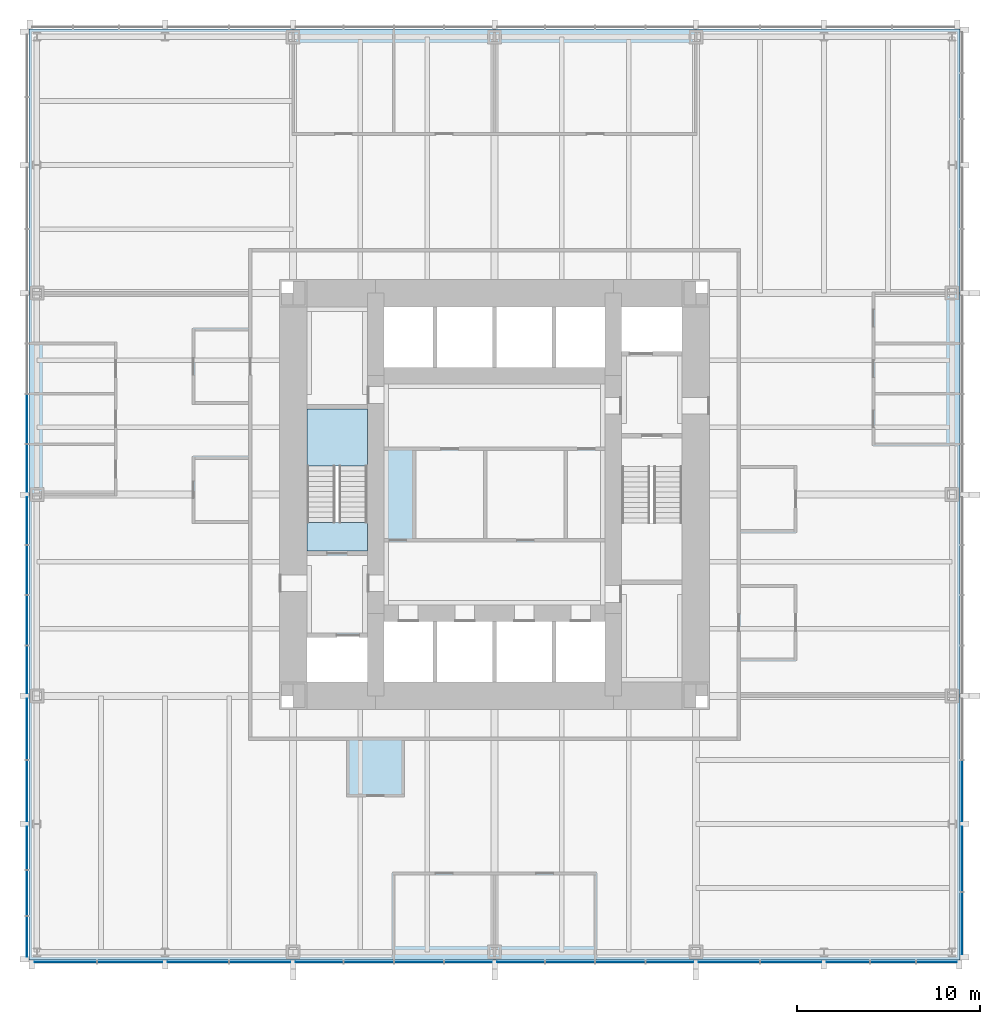
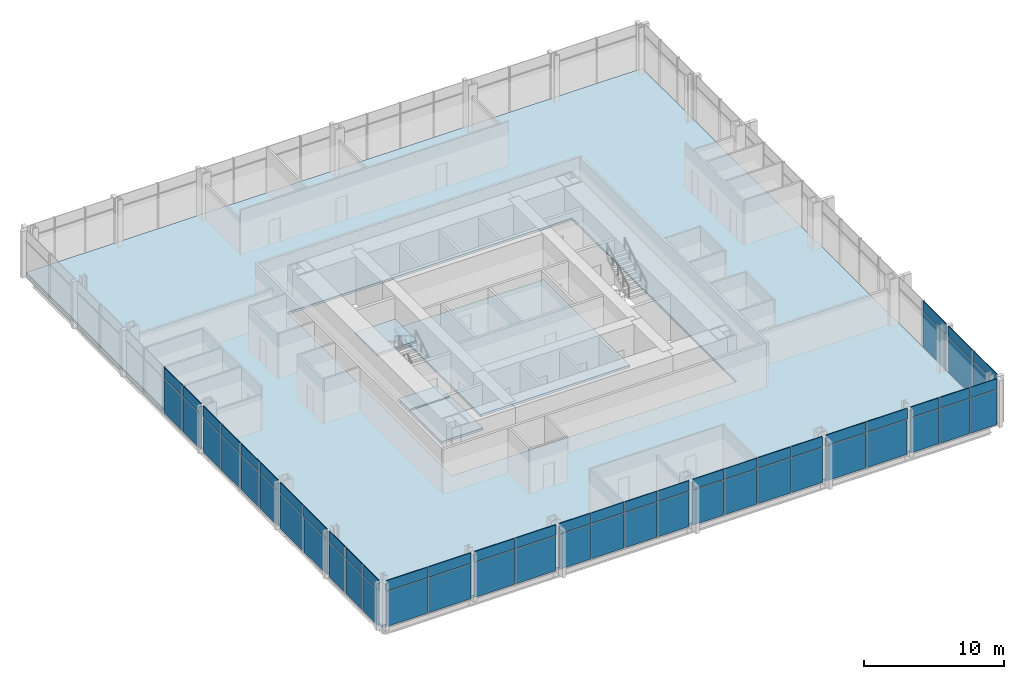
# One storey, part 7 of 12: 62 plates, 5 slabs, 4 elements without a shape of their own.
"""IFC4 building model written with IfcOpenShell, lengths in metres."""

from ifc_helpers import new_model, si_unit, direction, frame, origin, origin_2d, place, context, subcontext, project, spatial, polyline, rectangle, outline, extrude, material, layer, layer_set, type_object, element, aggregate, save


model = new_model("IFC4")

# Units and contexts
model_context = context("Model", 3, precision=1e-05, world=origin(), true_north=direction((0.0, 1.0)))
body_context = subcontext(model_context, "Body", "Model", "MODEL_VIEW")
ifc_project = project(units=[si_unit("LENGTHUNIT", "METRE"), si_unit("AREAUNIT", "SQUARE_METRE"), si_unit("VOLUMEUNIT", "CUBIC_METRE"), si_unit("PLANEANGLEUNIT", "RADIAN"), si_unit("MASSUNIT", "GRAM", prefix="KILO")], contexts=[model_context])

# Site, building, storey
site_placement = place(None, origin())
site = spatial("IfcSite", under=ifc_project, at=site_placement, CompositionType="ELEMENT")
building_placement = place(site_placement, origin())
building = spatial("IfcBuilding", under=site, at=building_placement, Name="Trevanion Tower", CompositionType="ELEMENT")
storey_placement = place(building_placement, frame((0.0, 0.0, 57.0)))
storey = spatial("IfcBuildingStorey", under=building, at=storey_placement, Name="L13", CompositionType="ELEMENT", Elevation=57.0)

# Curtain wall, plates
ifc_material_1 = material(Name="Aluminium and glass", Category="aluminium")
curtain_wall_type = type_object("IfcCurtainWallType", Name="CW1 curtain wall", PredefinedType="USERDEFINED", material=ifc_material_1)
curtain_wall_1_placement = place(storey_placement, origin())
curtain_wall_1 = element("IfcCurtainWall", 1, at=curtain_wall_1_placement, inside=storey, type_object=curtain_wall_type, Name="CW1 L13 0", ObjectType="UNITISED CURTAIN WALL", PredefinedType="USERDEFINED")
ifc_material_2 = material(Name="Aluminium spandrel panel", Category="aluminium")
ifc_layer_1 = layer(ifc_material_2, 0.06005859375)
ifc_layer_set_1 = layer_set([ifc_layer_1], Name="CW1 spandrel panel")
plate_type_1 = type_object("IfcPlateType", Name="CW1 spandrel panel", PredefinedType="CURTAIN_PANEL", material=ifc_layer_set_1)
plate_1_placement = place(storey_placement, frame((25.550048828125, -23.433837890625, 2.997314453125), z_axis=(0.0, 0.0, 1.0), x_axis=(0.0, 1.0, 0.0)))
plate_1 = element("IfcPlate", 2, at=plate_1_placement, type_object=plate_type_1, Name="CW1 panel 1.2", PredefinedType="CURTAIN_PANEL", context=body_context, shape_type="SweptSolid", body=[
    extrude(rectangle(XDim=3.37255859375, YDim=0.06005859375, at=origin_2d()), origin(), (0.0, 0.0, 1.0), 0.91259765625),
])
plate_2_placement = place(storey_placement, frame((25.550048828125, -19.911376953125, 2.997314453125), z_axis=(0.0, 0.0, 1.0), x_axis=(0.0, 1.0, 0.0)))
plate_2 = element("IfcPlate", 3, at=plate_2_placement, type_object=plate_type_1, Name="CW1 panel 2.2", PredefinedType="CURTAIN_PANEL", context=body_context, shape_type="SweptSolid", body=[
    extrude(rectangle(XDim=3.5224609375, YDim=0.06005859375, at=origin_2d()), origin(), (0.0, 0.0, 1.0), 0.91259765625),
])
plate_3_placement = place(storey_placement, frame((25.550048828125, -16.19384765625, 2.997314453125), z_axis=(0.0, 0.0, 1.0), x_axis=(0.0, 1.0, 0.0)))
plate_3 = element("IfcPlate", 4, at=plate_3_placement, type_object=plate_type_1, Name="CW1 panel 3.2", PredefinedType="CURTAIN_PANEL", context=body_context, shape_type="SweptSolid", body=[
    extrude(rectangle(XDim=3.3125, YDim=0.06005859375, at=origin_2d()), origin(), (0.0, 0.0, 1.0), 0.91259765625),
])

curtain_wall_2_placement = place(storey_placement, origin())
curtain_wall_2 = element("IfcCurtainWall", 5, at=curtain_wall_2_placement, inside=storey, type_object=curtain_wall_type, Name="CW1 L13 2", ObjectType="UNITISED CURTAIN WALL", PredefinedType="USERDEFINED")
plate_4_placement = place(storey_placement, frame((-25.550048828125, 4.125, 2.997314453125), z_axis=(0.0, 0.0, 1.0), x_axis=(0.0, -1.0, 0.0)))
plate_4 = element("IfcPlate", 6, at=plate_4_placement, type_object=plate_type_1, Name="CW1 panel 7.2", PredefinedType="CURTAIN_PANEL", context=body_context, shape_type="SweptSolid", body=[
    extrude(rectangle(XDim=2.675048828125, YDim=0.06005859375, at=origin_2d()), origin(), (0.0, 0.0, 1.0), 0.91259765625),
])
plate_5_placement = place(storey_placement, frame((-25.550048828125, 1.43115234375, 2.997314453125), z_axis=(0.0, 0.0, 1.0), x_axis=(0.0, -1.0, 0.0)))
plate_5 = element("IfcPlate", 7, at=plate_5_placement, type_object=plate_type_1, Name="CW1 panel 8.2", PredefinedType="CURTAIN_PANEL", context=body_context, shape_type="SweptSolid", body=[
    extrude(rectangle(XDim=2.5625, YDim=0.06005859375, at=origin_2d()), origin(), (0.0, 0.0, 1.0), 0.91259765625),
])
plate_6_placement = place(storey_placement, frame((-25.550048828125, -1.43115234375, 2.997314453125), z_axis=(0.0, 0.0, 1.0), x_axis=(0.0, -1.0, 0.0)))
plate_6 = element("IfcPlate", 8, at=plate_6_placement, type_object=plate_type_1, Name="CW1 panel 9.2", PredefinedType="CURTAIN_PANEL", context=body_context, shape_type="SweptSolid", body=[
    extrude(rectangle(XDim=2.5625, YDim=0.06005859375, at=origin_2d()), origin(), (0.0, 0.0, 1.0), 0.91259765625),
])
plate_7_placement = place(storey_placement, frame((-25.550048828125, -4.125, 2.997314453125), z_axis=(0.0, 0.0, 1.0), x_axis=(0.0, -1.0, 0.0)))
plate_7 = element("IfcPlate", 9, at=plate_7_placement, type_object=plate_type_1, Name="CW1 panel 10.2", PredefinedType="CURTAIN_PANEL", context=body_context, shape_type="SweptSolid", body=[
    extrude(rectangle(XDim=2.675048828125, YDim=0.06005859375, at=origin_2d()), origin(), (0.0, 0.0, 1.0), 0.91259765625),
])
plate_8_placement = place(storey_placement, frame((-25.550048828125, -6.875, 2.997314453125), z_axis=(0.0, 0.0, 1.0), x_axis=(0.0, -1.0, 0.0)))
plate_8 = element("IfcPlate", 10, at=plate_8_placement, type_object=plate_type_1, Name="CW1 panel 11.2", PredefinedType="CURTAIN_PANEL", context=body_context, shape_type="SweptSolid", body=[
    extrude(rectangle(XDim=2.675048828125, YDim=0.06005859375, at=origin_2d()), origin(), (0.0, 0.0, 1.0), 0.91259765625),
])
plate_9_placement = place(storey_placement, frame((-25.550048828125, -9.56884765625, 2.997314453125), z_axis=(0.0, 0.0, 1.0), x_axis=(0.0, -1.0, 0.0)))
plate_9 = element("IfcPlate", 11, at=plate_9_placement, type_object=plate_type_1, Name="CW1 panel 12.2", PredefinedType="CURTAIN_PANEL", context=body_context, shape_type="SweptSolid", body=[
    extrude(rectangle(XDim=2.5625, YDim=0.06005859375, at=origin_2d()), origin(), (0.0, 0.0, 1.0), 0.91259765625),
])
plate_10_placement = place(storey_placement, frame((-25.550048828125, -12.80615234375, 2.997314453125), z_axis=(0.0, 0.0, 1.0), x_axis=(0.0, -1.0, 0.0)))
plate_10 = element("IfcPlate", 12, at=plate_10_placement, type_object=plate_type_1, Name="CW1 panel 13.2", PredefinedType="CURTAIN_PANEL", context=body_context, shape_type="SweptSolid", body=[
    extrude(rectangle(XDim=3.3125, YDim=0.06005859375, at=origin_2d()), origin(), (0.0, 0.0, 1.0), 0.91259765625),
])
plate_11_placement = place(storey_placement, frame((-25.550048828125, -16.19384765625, 2.997314453125), z_axis=(0.0, 0.0, 1.0), x_axis=(0.0, -1.0, 0.0)))
plate_11 = element("IfcPlate", 13, at=plate_11_placement, type_object=plate_type_1, Name="CW1 panel 14.2", PredefinedType="CURTAIN_PANEL", context=body_context, shape_type="SweptSolid", body=[
    extrude(rectangle(XDim=3.3125, YDim=0.06005859375, at=origin_2d()), origin(), (0.0, 0.0, 1.0), 0.91259765625),
])
plate_12_placement = place(storey_placement, frame((-25.550048828125, -19.314697265625, 2.997314453125), z_axis=(0.0, 0.0, 1.0), x_axis=(0.0, -1.0, 0.0)))
plate_12 = element("IfcPlate", 14, at=plate_12_placement, type_object=plate_type_1, Name="CW1 panel 15.2", PredefinedType="CURTAIN_PANEL", context=body_context, shape_type="SweptSolid", body=[
    extrude(rectangle(XDim=2.3291015625, YDim=0.06005859375, at=origin_2d()), origin(), (0.0, 0.0, 1.0), 0.91259765625),
])
plate_13_placement = place(storey_placement, frame((-25.550048828125, -21.77490234375, 2.997314453125), z_axis=(0.0, 0.0, 1.0), x_axis=(0.0, -1.0, 0.0)))
plate_13 = element("IfcPlate", 15, at=plate_13_placement, type_object=plate_type_1, Name="CW1 panel 16.2", PredefinedType="CURTAIN_PANEL", context=body_context, shape_type="SweptSolid", body=[
    extrude(rectangle(XDim=2.441650390625, YDim=0.06005859375, at=origin_2d()), origin(), (0.0, 0.0, 1.0), 0.91259765625),
])
plate_14_placement = place(storey_placement, frame((-25.550048828125, -24.160400390625, 2.997314453125), z_axis=(0.0, 0.0, 1.0), x_axis=(0.0, -1.0, 0.0)))
plate_14 = element("IfcPlate", 16, at=plate_14_placement, type_object=plate_type_1, Name="CW1 panel 17.2", PredefinedType="CURTAIN_PANEL", context=body_context, shape_type="SweptSolid", body=[
    extrude(rectangle(XDim=2.17919921875, YDim=0.06005859375, at=origin_2d()), origin(), (0.0, 0.0, 1.0), 0.91259765625),
])

curtain_wall_3_placement = place(storey_placement, origin())
curtain_wall_3 = element("IfcCurtainWall", 17, at=curtain_wall_3_placement, inside=storey, type_object=curtain_wall_type, Name="CW1 L13 3", ObjectType="UNITISED CURTAIN WALL", PredefinedType="USERDEFINED")
plate_15_placement = place(storey_placement, frame((-23.433837890625, -25.550048828125, 2.997314453125), z_axis=(0.0, 0.0, 1.0), x_axis=(1.0, 0.0, 0.0)))
plate_15 = element("IfcPlate", 18, at=plate_15_placement, type_object=plate_type_1, Name="CW1 panel 1.2", PredefinedType="CURTAIN_PANEL", context=body_context, shape_type="SweptSolid", body=[
    extrude(rectangle(XDim=3.37255859375, YDim=0.06005859375, at=origin_2d()), origin(), (0.0, 0.0, 1.0), 0.91259765625),
])
plate_16_placement = place(storey_placement, frame((-19.911376953125, -25.550048828125, 2.997314453125), z_axis=(0.0, 0.0, 1.0), x_axis=(1.0, 0.0, 0.0)))
plate_16 = element("IfcPlate", 19, at=plate_16_placement, type_object=plate_type_1, Name="CW1 panel 2.2", PredefinedType="CURTAIN_PANEL", context=body_context, shape_type="SweptSolid", body=[
    extrude(rectangle(XDim=3.5224609375, YDim=0.06005859375, at=origin_2d()), origin(), (0.0, 0.0, 1.0), 0.91259765625),
])
plate_17_placement = place(storey_placement, frame((-16.19384765625, -25.550048828125, 2.997314453125), z_axis=(0.0, 0.0, 1.0), x_axis=(1.0, 0.0, 0.0)))
plate_17 = element("IfcPlate", 20, at=plate_17_placement, type_object=plate_type_1, Name="CW1 panel 3.2", PredefinedType="CURTAIN_PANEL", context=body_context, shape_type="SweptSolid", body=[
    extrude(rectangle(XDim=3.3125, YDim=0.06005859375, at=origin_2d()), origin(), (0.0, 0.0, 1.0), 0.91259765625),
])
plate_18_placement = place(storey_placement, frame((-12.806396484375, -25.550048828125, 2.997314453125), z_axis=(0.0, 0.0, 1.0), x_axis=(1.0, 0.0, 0.0)))
plate_18 = element("IfcPlate", 21, at=plate_18_placement, type_object=plate_type_1, Name="CW1 panel 4.2", PredefinedType="CURTAIN_PANEL", context=body_context, shape_type="SweptSolid", body=[
    extrude(rectangle(XDim=3.3125, YDim=0.06005859375, at=origin_2d()), origin(), (0.0, 0.0, 1.0), 0.91259765625),
])
plate_19_placement = place(storey_placement, frame((-9.56884765625, -25.550048828125, 2.997314453125), z_axis=(0.0, 0.0, 1.0), x_axis=(1.0, 0.0, 0.0)))
plate_19 = element("IfcPlate", 22, at=plate_19_placement, type_object=plate_type_1, Name="CW1 panel 5.2", PredefinedType="CURTAIN_PANEL", context=body_context, shape_type="SweptSolid", body=[
    extrude(rectangle(XDim=2.5625, YDim=0.06005859375, at=origin_2d()), origin(), (0.0, 0.0, 1.0), 0.91259765625),
])
plate_20_placement = place(storey_placement, frame((-6.875, -25.550048828125, 2.997314453125), z_axis=(0.0, 0.0, 1.0), x_axis=(1.0, 0.0, 0.0)))
plate_20 = element("IfcPlate", 23, at=plate_20_placement, type_object=plate_type_1, Name="CW1 panel 6.2", PredefinedType="CURTAIN_PANEL", context=body_context, shape_type="SweptSolid", body=[
    extrude(rectangle(XDim=2.675048828125, YDim=0.06005859375, at=origin_2d()), origin(), (0.0, 0.0, 1.0), 0.91259765625),
])
plate_21_placement = place(storey_placement, frame((-4.125, -25.550048828125, 2.997314453125), z_axis=(0.0, 0.0, 1.0), x_axis=(1.0, 0.0, 0.0)))
plate_21 = element("IfcPlate", 24, at=plate_21_placement, type_object=plate_type_1, Name="CW1 panel 7.2", PredefinedType="CURTAIN_PANEL", context=body_context, shape_type="SweptSolid", body=[
    extrude(rectangle(XDim=2.675048828125, YDim=0.06005859375, at=origin_2d()), origin(), (0.0, 0.0, 1.0), 0.91259765625),
])
plate_22_placement = place(storey_placement, frame((-1.43115234375, -25.550048828125, 2.997314453125), z_axis=(0.0, 0.0, 1.0), x_axis=(1.0, 0.0, 0.0)))
plate_22 = element("IfcPlate", 25, at=plate_22_placement, type_object=plate_type_1, Name="CW1 panel 8.2", PredefinedType="CURTAIN_PANEL", context=body_context, shape_type="SweptSolid", body=[
    extrude(rectangle(XDim=2.5625, YDim=0.06005859375, at=origin_2d()), origin(), (0.0, 0.0, 1.0), 0.91259765625),
])
plate_23_placement = place(storey_placement, frame((1.43115234375, -25.550048828125, 2.997314453125), z_axis=(0.0, 0.0, 1.0), x_axis=(1.0, 0.0, 0.0)))
plate_23 = element("IfcPlate", 26, at=plate_23_placement, type_object=plate_type_1, Name="CW1 panel 9.2", PredefinedType="CURTAIN_PANEL", context=body_context, shape_type="SweptSolid", body=[
    extrude(rectangle(XDim=2.5625, YDim=0.06005859375, at=origin_2d()), origin(), (0.0, 0.0, 1.0), 0.91259765625),
])
plate_24_placement = place(storey_placement, frame((4.125, -25.550048828125, 2.997314453125), z_axis=(0.0, 0.0, 1.0), x_axis=(1.0, 0.0, 0.0)))
plate_24 = element("IfcPlate", 27, at=plate_24_placement, type_object=plate_type_1, Name="CW1 panel 10.2", PredefinedType="CURTAIN_PANEL", context=body_context, shape_type="SweptSolid", body=[
    extrude(rectangle(XDim=2.675048828125, YDim=0.06005859375, at=origin_2d()), origin(), (0.0, 0.0, 1.0), 0.91259765625),
])
plate_25_placement = place(storey_placement, frame((6.875, -25.550048828125, 2.997314453125), z_axis=(0.0, 0.0, 1.0), x_axis=(1.0, 0.0, 0.0)))
plate_25 = element("IfcPlate", 28, at=plate_25_placement, type_object=plate_type_1, Name="CW1 panel 11.2", PredefinedType="CURTAIN_PANEL", context=body_context, shape_type="SweptSolid", body=[
    extrude(rectangle(XDim=2.675048828125, YDim=0.06005859375, at=origin_2d()), origin(), (0.0, 0.0, 1.0), 0.91259765625),
])
plate_26_placement = place(storey_placement, frame((9.56884765625, -25.550048828125, 2.997314453125), z_axis=(0.0, 0.0, 1.0), x_axis=(1.0, 0.0, 0.0)))
plate_26 = element("IfcPlate", 29, at=plate_26_placement, type_object=plate_type_1, Name="CW1 panel 12.2", PredefinedType="CURTAIN_PANEL", context=body_context, shape_type="SweptSolid", body=[
    extrude(rectangle(XDim=2.5625, YDim=0.06005859375, at=origin_2d()), origin(), (0.0, 0.0, 1.0), 0.91259765625),
])
plate_27_placement = place(storey_placement, frame((12.80615234375, -25.550048828125, 2.997314453125), z_axis=(0.0, 0.0, 1.0), x_axis=(1.0, 0.0, 0.0)))
plate_27 = element("IfcPlate", 30, at=plate_27_placement, type_object=plate_type_1, Name="CW1 panel 13.2", PredefinedType="CURTAIN_PANEL", context=body_context, shape_type="SweptSolid", body=[
    extrude(rectangle(XDim=3.3125, YDim=0.06005859375, at=origin_2d()), origin(), (0.0, 0.0, 1.0), 0.91259765625),
])
plate_28_placement = place(storey_placement, frame((16.19384765625, -25.550048828125, 2.997314453125), z_axis=(0.0, 0.0, 1.0), x_axis=(1.0, 0.0, 0.0)))
plate_28 = element("IfcPlate", 31, at=plate_28_placement, type_object=plate_type_1, Name="CW1 panel 14.2", PredefinedType="CURTAIN_PANEL", context=body_context, shape_type="SweptSolid", body=[
    extrude(rectangle(XDim=3.3125, YDim=0.06005859375, at=origin_2d()), origin(), (0.0, 0.0, 1.0), 0.91259765625),
])
plate_29_placement = place(storey_placement, frame((19.314697265625, -25.550048828125, 2.997314453125), z_axis=(0.0, 0.0, 1.0), x_axis=(1.0, 0.0, 0.0)))
plate_29 = element("IfcPlate", 32, at=plate_29_placement, type_object=plate_type_1, Name="CW1 panel 15.2", PredefinedType="CURTAIN_PANEL", context=body_context, shape_type="SweptSolid", body=[
    extrude(rectangle(XDim=2.3291015625, YDim=0.06005859375, at=origin_2d()), origin(), (0.0, 0.0, 1.0), 0.91259765625),
])
plate_30_placement = place(storey_placement, frame((21.77490234375, -25.550048828125, 2.997314453125), z_axis=(0.0, 0.0, 1.0), x_axis=(1.0, 0.0, 0.0)))
plate_30 = element("IfcPlate", 33, at=plate_30_placement, type_object=plate_type_1, Name="CW1 panel 16.2", PredefinedType="CURTAIN_PANEL", context=body_context, shape_type="SweptSolid", body=[
    extrude(rectangle(XDim=2.441650390625, YDim=0.06005859375, at=origin_2d()), origin(), (0.0, 0.0, 1.0), 0.91259765625),
])
plate_31_placement = place(storey_placement, frame((24.160400390625, -25.550048828125, 2.997314453125), z_axis=(0.0, 0.0, 1.0), x_axis=(1.0, 0.0, 0.0)))
plate_31 = element("IfcPlate", 34, at=plate_31_placement, type_object=plate_type_1, Name="CW1 panel 17.2", PredefinedType="CURTAIN_PANEL", context=body_context, shape_type="SweptSolid", body=[
    extrude(rectangle(XDim=2.17919921875, YDim=0.06005859375, at=origin_2d()), origin(), (0.0, 0.0, 1.0), 0.91259765625),
])

# Plate
ifc_material_3 = material(Name="Insulating glass unit", Category="glass")
ifc_layer_2 = layer(ifc_material_3, 0.028076171875)
ifc_layer_set_2 = layer_set([ifc_layer_2], Name="CW1 vision panel")
plate_type_2 = type_object("IfcPlateType", Name="CW1 vision panel", PredefinedType="CURTAIN_PANEL", material=ifc_layer_set_2)
plate_32_placement = place(storey_placement, frame((25.550048828125, -23.433837890625, -0.114990234375), z_axis=(0.0, 0.0, 1.0), x_axis=(0.0, 1.0, 0.0)))
plate_32 = element("IfcPlate", 35, at=plate_32_placement, type_object=plate_type_2, Name="CW1 panel 1.1", PredefinedType="CURTAIN_PANEL", context=body_context, shape_type="SweptSolid", body=[
    extrude(rectangle(XDim=3.37255859375, YDim=0.028076171875, at=origin_2d()), origin(), (0.0, 0.0, 1.0), 3.03759765625),
])

plate_33_placement = place(storey_placement, frame((25.550048828125, -19.911376953125, -0.114990234375), z_axis=(0.0, 0.0, 1.0), x_axis=(0.0, 1.0, 0.0)))
plate_33 = element("IfcPlate", 36, at=plate_33_placement, type_object=plate_type_2, Name="CW1 panel 2.1", PredefinedType="CURTAIN_PANEL", context=body_context, shape_type="SweptSolid", body=[
    extrude(rectangle(XDim=3.5224609375, YDim=0.028076171875, at=origin_2d()), origin(), (0.0, 0.0, 1.0), 3.03759765625),
])

plate_34_placement = place(storey_placement, frame((25.550048828125, -16.19384765625, -0.114990234375), z_axis=(0.0, 0.0, 1.0), x_axis=(0.0, 1.0, 0.0)))
plate_34 = element("IfcPlate", 37, at=plate_34_placement, type_object=plate_type_2, Name="CW1 panel 3.1", PredefinedType="CURTAIN_PANEL", context=body_context, shape_type="SweptSolid", body=[
    extrude(rectangle(XDim=3.3125, YDim=0.028076171875, at=origin_2d()), origin(), (0.0, 0.0, 1.0), 3.03759765625),
])

aggregate(curtain_wall_1, [plate_32, plate_1, plate_33, plate_2, plate_34, plate_3])

plate_35_placement = place(storey_placement, frame((-25.550048828125, 4.125, -0.114990234375), z_axis=(0.0, 0.0, 1.0), x_axis=(0.0, -1.0, 0.0)))
plate_35 = element("IfcPlate", 38, at=plate_35_placement, type_object=plate_type_2, Name="CW1 panel 7.1", PredefinedType="CURTAIN_PANEL", context=body_context, shape_type="SweptSolid", body=[
    extrude(rectangle(XDim=2.675048828125, YDim=0.028076171875, at=origin_2d()), origin(), (0.0, 0.0, 1.0), 3.03759765625),
])

plate_36_placement = place(storey_placement, frame((-25.550048828125, 1.43115234375, -0.114990234375), z_axis=(0.0, 0.0, 1.0), x_axis=(0.0, -1.0, 0.0)))
plate_36 = element("IfcPlate", 39, at=plate_36_placement, type_object=plate_type_2, Name="CW1 panel 8.1", PredefinedType="CURTAIN_PANEL", context=body_context, shape_type="SweptSolid", body=[
    extrude(rectangle(XDim=2.5625, YDim=0.028076171875, at=origin_2d()), origin(), (0.0, 0.0, 1.0), 3.03759765625),
])

plate_37_placement = place(storey_placement, frame((-25.550048828125, -1.43115234375, -0.114990234375), z_axis=(0.0, 0.0, 1.0), x_axis=(0.0, -1.0, 0.0)))
plate_37 = element("IfcPlate", 40, at=plate_37_placement, type_object=plate_type_2, Name="CW1 panel 9.1", PredefinedType="CURTAIN_PANEL", context=body_context, shape_type="SweptSolid", body=[
    extrude(rectangle(XDim=2.5625, YDim=0.028076171875, at=origin_2d()), origin(), (0.0, 0.0, 1.0), 3.03759765625),
])

plate_38_placement = place(storey_placement, frame((-25.550048828125, -4.125, -0.114990234375), z_axis=(0.0, 0.0, 1.0), x_axis=(0.0, -1.0, 0.0)))
plate_38 = element("IfcPlate", 41, at=plate_38_placement, type_object=plate_type_2, Name="CW1 panel 10.1", PredefinedType="CURTAIN_PANEL", context=body_context, shape_type="SweptSolid", body=[
    extrude(rectangle(XDim=2.675048828125, YDim=0.028076171875, at=origin_2d()), origin(), (0.0, 0.0, 1.0), 3.03759765625),
])

plate_39_placement = place(storey_placement, frame((-25.550048828125, -6.875, -0.114990234375), z_axis=(0.0, 0.0, 1.0), x_axis=(0.0, -1.0, 0.0)))
plate_39 = element("IfcPlate", 42, at=plate_39_placement, type_object=plate_type_2, Name="CW1 panel 11.1", PredefinedType="CURTAIN_PANEL", context=body_context, shape_type="SweptSolid", body=[
    extrude(rectangle(XDim=2.675048828125, YDim=0.028076171875, at=origin_2d()), origin(), (0.0, 0.0, 1.0), 3.03759765625),
])

plate_40_placement = place(storey_placement, frame((-25.550048828125, -9.56884765625, -0.114990234375), z_axis=(0.0, 0.0, 1.0), x_axis=(0.0, -1.0, 0.0)))
plate_40 = element("IfcPlate", 43, at=plate_40_placement, type_object=plate_type_2, Name="CW1 panel 12.1", PredefinedType="CURTAIN_PANEL", context=body_context, shape_type="SweptSolid", body=[
    extrude(rectangle(XDim=2.5625, YDim=0.028076171875, at=origin_2d()), origin(), (0.0, 0.0, 1.0), 3.03759765625),
])

plate_41_placement = place(storey_placement, frame((-25.550048828125, -12.80615234375, -0.114990234375), z_axis=(0.0, 0.0, 1.0), x_axis=(0.0, -1.0, 0.0)))
plate_41 = element("IfcPlate", 44, at=plate_41_placement, type_object=plate_type_2, Name="CW1 panel 13.1", PredefinedType="CURTAIN_PANEL", context=body_context, shape_type="SweptSolid", body=[
    extrude(rectangle(XDim=3.3125, YDim=0.028076171875, at=origin_2d()), origin(), (0.0, 0.0, 1.0), 3.03759765625),
])

plate_42_placement = place(storey_placement, frame((-25.550048828125, -16.19384765625, -0.114990234375), z_axis=(0.0, 0.0, 1.0), x_axis=(0.0, -1.0, 0.0)))
plate_42 = element("IfcPlate", 45, at=plate_42_placement, type_object=plate_type_2, Name="CW1 panel 14.1", PredefinedType="CURTAIN_PANEL", context=body_context, shape_type="SweptSolid", body=[
    extrude(rectangle(XDim=3.3125, YDim=0.028076171875, at=origin_2d()), origin(), (0.0, 0.0, 1.0), 3.03759765625),
])

plate_43_placement = place(storey_placement, frame((-25.550048828125, -19.314697265625, -0.114990234375), z_axis=(0.0, 0.0, 1.0), x_axis=(0.0, -1.0, 0.0)))
plate_43 = element("IfcPlate", 46, at=plate_43_placement, type_object=plate_type_2, Name="CW1 panel 15.1", PredefinedType="CURTAIN_PANEL", context=body_context, shape_type="SweptSolid", body=[
    extrude(rectangle(XDim=2.3291015625, YDim=0.028076171875, at=origin_2d()), origin(), (0.0, 0.0, 1.0), 3.03759765625),
])

plate_44_placement = place(storey_placement, frame((-25.550048828125, -21.77490234375, -0.114990234375), z_axis=(0.0, 0.0, 1.0), x_axis=(0.0, -1.0, 0.0)))
plate_44 = element("IfcPlate", 47, at=plate_44_placement, type_object=plate_type_2, Name="CW1 panel 16.1", PredefinedType="CURTAIN_PANEL", context=body_context, shape_type="SweptSolid", body=[
    extrude(rectangle(XDim=2.441650390625, YDim=0.028076171875, at=origin_2d()), origin(), (0.0, 0.0, 1.0), 3.03759765625),
])

plate_45_placement = place(storey_placement, frame((-25.550048828125, -24.160400390625, -0.114990234375), z_axis=(0.0, 0.0, 1.0), x_axis=(0.0, -1.0, 0.0)))
plate_45 = element("IfcPlate", 48, at=plate_45_placement, type_object=plate_type_2, Name="CW1 panel 17.1", PredefinedType="CURTAIN_PANEL", context=body_context, shape_type="SweptSolid", body=[
    extrude(rectangle(XDim=2.17919921875, YDim=0.028076171875, at=origin_2d()), origin(), (0.0, 0.0, 1.0), 3.03759765625),
])

aggregate(curtain_wall_2, [plate_35, plate_4, plate_36, plate_5, plate_37, plate_6, plate_38, plate_7, plate_39, plate_8, plate_40, plate_9, plate_41, plate_10, plate_42, plate_11, plate_43, plate_12, plate_44, plate_13, plate_45, plate_14])

plate_46_placement = place(storey_placement, frame((-23.433837890625, -25.550048828125, -0.114990234375), z_axis=(0.0, 0.0, 1.0), x_axis=(1.0, 0.0, 0.0)))
plate_46 = element("IfcPlate", 49, at=plate_46_placement, type_object=plate_type_2, Name="CW1 panel 1.1", PredefinedType="CURTAIN_PANEL", context=body_context, shape_type="SweptSolid", body=[
    extrude(rectangle(XDim=3.37255859375, YDim=0.028076171875, at=origin_2d()), origin(), (0.0, 0.0, 1.0), 3.03759765625),
])

plate_47_placement = place(storey_placement, frame((-19.911376953125, -25.550048828125, -0.114990234375), z_axis=(0.0, 0.0, 1.0), x_axis=(1.0, 0.0, 0.0)))
plate_47 = element("IfcPlate", 50, at=plate_47_placement, type_object=plate_type_2, Name="CW1 panel 2.1", PredefinedType="CURTAIN_PANEL", context=body_context, shape_type="SweptSolid", body=[
    extrude(rectangle(XDim=3.5224609375, YDim=0.028076171875, at=origin_2d()), origin(), (0.0, 0.0, 1.0), 3.03759765625),
])

plate_48_placement = place(storey_placement, frame((-16.19384765625, -25.550048828125, -0.114990234375), z_axis=(0.0, 0.0, 1.0), x_axis=(1.0, 0.0, 0.0)))
plate_48 = element("IfcPlate", 51, at=plate_48_placement, type_object=plate_type_2, Name="CW1 panel 3.1", PredefinedType="CURTAIN_PANEL", context=body_context, shape_type="SweptSolid", body=[
    extrude(rectangle(XDim=3.3125, YDim=0.028076171875, at=origin_2d()), origin(), (0.0, 0.0, 1.0), 3.03759765625),
])

plate_49_placement = place(storey_placement, frame((-12.806396484375, -25.550048828125, -0.114990234375), z_axis=(0.0, 0.0, 1.0), x_axis=(1.0, 0.0, 0.0)))
plate_49 = element("IfcPlate", 52, at=plate_49_placement, type_object=plate_type_2, Name="CW1 panel 4.1", PredefinedType="CURTAIN_PANEL", context=body_context, shape_type="SweptSolid", body=[
    extrude(rectangle(XDim=3.3125, YDim=0.028076171875, at=origin_2d()), origin(), (0.0, 0.0, 1.0), 3.03759765625),
])

plate_50_placement = place(storey_placement, frame((-9.56884765625, -25.550048828125, -0.114990234375), z_axis=(0.0, 0.0, 1.0), x_axis=(1.0, 0.0, 0.0)))
plate_50 = element("IfcPlate", 53, at=plate_50_placement, type_object=plate_type_2, Name="CW1 panel 5.1", PredefinedType="CURTAIN_PANEL", context=body_context, shape_type="SweptSolid", body=[
    extrude(rectangle(XDim=2.5625, YDim=0.028076171875, at=origin_2d()), origin(), (0.0, 0.0, 1.0), 3.03759765625),
])

plate_51_placement = place(storey_placement, frame((-6.875, -25.550048828125, -0.114990234375), z_axis=(0.0, 0.0, 1.0), x_axis=(1.0, 0.0, 0.0)))
plate_51 = element("IfcPlate", 54, at=plate_51_placement, type_object=plate_type_2, Name="CW1 panel 6.1", PredefinedType="CURTAIN_PANEL", context=body_context, shape_type="SweptSolid", body=[
    extrude(rectangle(XDim=2.675048828125, YDim=0.028076171875, at=origin_2d()), origin(), (0.0, 0.0, 1.0), 3.03759765625),
])

plate_52_placement = place(storey_placement, frame((-4.125, -25.550048828125, -0.114990234375), z_axis=(0.0, 0.0, 1.0), x_axis=(1.0, 0.0, 0.0)))
plate_52 = element("IfcPlate", 55, at=plate_52_placement, type_object=plate_type_2, Name="CW1 panel 7.1", PredefinedType="CURTAIN_PANEL", context=body_context, shape_type="SweptSolid", body=[
    extrude(rectangle(XDim=2.675048828125, YDim=0.028076171875, at=origin_2d()), origin(), (0.0, 0.0, 1.0), 3.03759765625),
])

plate_53_placement = place(storey_placement, frame((-1.43115234375, -25.550048828125, -0.114990234375), z_axis=(0.0, 0.0, 1.0), x_axis=(1.0, 0.0, 0.0)))
plate_53 = element("IfcPlate", 56, at=plate_53_placement, type_object=plate_type_2, Name="CW1 panel 8.1", PredefinedType="CURTAIN_PANEL", context=body_context, shape_type="SweptSolid", body=[
    extrude(rectangle(XDim=2.5625, YDim=0.028076171875, at=origin_2d()), origin(), (0.0, 0.0, 1.0), 3.03759765625),
])

plate_54_placement = place(storey_placement, frame((1.43115234375, -25.550048828125, -0.114990234375), z_axis=(0.0, 0.0, 1.0), x_axis=(1.0, 0.0, 0.0)))
plate_54 = element("IfcPlate", 57, at=plate_54_placement, type_object=plate_type_2, Name="CW1 panel 9.1", PredefinedType="CURTAIN_PANEL", context=body_context, shape_type="SweptSolid", body=[
    extrude(rectangle(XDim=2.5625, YDim=0.028076171875, at=origin_2d()), origin(), (0.0, 0.0, 1.0), 3.03759765625),
])

plate_55_placement = place(storey_placement, frame((4.125, -25.550048828125, -0.114990234375), z_axis=(0.0, 0.0, 1.0), x_axis=(1.0, 0.0, 0.0)))
plate_55 = element("IfcPlate", 58, at=plate_55_placement, type_object=plate_type_2, Name="CW1 panel 10.1", PredefinedType="CURTAIN_PANEL", context=body_context, shape_type="SweptSolid", body=[
    extrude(rectangle(XDim=2.675048828125, YDim=0.028076171875, at=origin_2d()), origin(), (0.0, 0.0, 1.0), 3.03759765625),
])

plate_56_placement = place(storey_placement, frame((6.875, -25.550048828125, -0.114990234375), z_axis=(0.0, 0.0, 1.0), x_axis=(1.0, 0.0, 0.0)))
plate_56 = element("IfcPlate", 59, at=plate_56_placement, type_object=plate_type_2, Name="CW1 panel 11.1", PredefinedType="CURTAIN_PANEL", context=body_context, shape_type="SweptSolid", body=[
    extrude(rectangle(XDim=2.675048828125, YDim=0.028076171875, at=origin_2d()), origin(), (0.0, 0.0, 1.0), 3.03759765625),
])

plate_57_placement = place(storey_placement, frame((9.56884765625, -25.550048828125, -0.114990234375), z_axis=(0.0, 0.0, 1.0), x_axis=(1.0, 0.0, 0.0)))
plate_57 = element("IfcPlate", 60, at=plate_57_placement, type_object=plate_type_2, Name="CW1 panel 12.1", PredefinedType="CURTAIN_PANEL", context=body_context, shape_type="SweptSolid", body=[
    extrude(rectangle(XDim=2.5625, YDim=0.028076171875, at=origin_2d()), origin(), (0.0, 0.0, 1.0), 3.03759765625),
])

plate_58_placement = place(storey_placement, frame((12.80615234375, -25.550048828125, -0.114990234375), z_axis=(0.0, 0.0, 1.0), x_axis=(1.0, 0.0, 0.0)))
plate_58 = element("IfcPlate", 61, at=plate_58_placement, type_object=plate_type_2, Name="CW1 panel 13.1", PredefinedType="CURTAIN_PANEL", context=body_context, shape_type="SweptSolid", body=[
    extrude(rectangle(XDim=3.3125, YDim=0.028076171875, at=origin_2d()), origin(), (0.0, 0.0, 1.0), 3.03759765625),
])

plate_59_placement = place(storey_placement, frame((16.19384765625, -25.550048828125, -0.114990234375), z_axis=(0.0, 0.0, 1.0), x_axis=(1.0, 0.0, 0.0)))
plate_59 = element("IfcPlate", 62, at=plate_59_placement, type_object=plate_type_2, Name="CW1 panel 14.1", PredefinedType="CURTAIN_PANEL", context=body_context, shape_type="SweptSolid", body=[
    extrude(rectangle(XDim=3.3125, YDim=0.028076171875, at=origin_2d()), origin(), (0.0, 0.0, 1.0), 3.03759765625),
])

plate_60_placement = place(storey_placement, frame((19.314697265625, -25.550048828125, -0.114990234375), z_axis=(0.0, 0.0, 1.0), x_axis=(1.0, 0.0, 0.0)))
plate_60 = element("IfcPlate", 63, at=plate_60_placement, type_object=plate_type_2, Name="CW1 panel 15.1", PredefinedType="CURTAIN_PANEL", context=body_context, shape_type="SweptSolid", body=[
    extrude(rectangle(XDim=2.3291015625, YDim=0.028076171875, at=origin_2d()), origin(), (0.0, 0.0, 1.0), 3.03759765625),
])

plate_61_placement = place(storey_placement, frame((21.77490234375, -25.550048828125, -0.114990234375), z_axis=(0.0, 0.0, 1.0), x_axis=(1.0, 0.0, 0.0)))
plate_61 = element("IfcPlate", 64, at=plate_61_placement, type_object=plate_type_2, Name="CW1 panel 16.1", PredefinedType="CURTAIN_PANEL", context=body_context, shape_type="SweptSolid", body=[
    extrude(rectangle(XDim=2.441650390625, YDim=0.028076171875, at=origin_2d()), origin(), (0.0, 0.0, 1.0), 3.03759765625),
])

plate_62_placement = place(storey_placement, frame((24.160400390625, -25.550048828125, -0.114990234375), z_axis=(0.0, 0.0, 1.0), x_axis=(1.0, 0.0, 0.0)))
plate_62 = element("IfcPlate", 65, at=plate_62_placement, type_object=plate_type_2, Name="CW1 panel 17.1", PredefinedType="CURTAIN_PANEL", context=body_context, shape_type="SweptSolid", body=[
    extrude(rectangle(XDim=2.17919921875, YDim=0.028076171875, at=origin_2d()), origin(), (0.0, 0.0, 1.0), 3.03759765625),
])

aggregate(curtain_wall_3, [plate_46, plate_15, plate_47, plate_16, plate_48, plate_17, plate_49, plate_18, plate_50, plate_19, plate_51, plate_20, plate_52, plate_21, plate_53, plate_22, plate_54, plate_23, plate_55, plate_24, plate_56, plate_25, plate_57, plate_26, plate_58, plate_27, plate_59, plate_28, plate_60, plate_29, plate_61, plate_30, plate_62, plate_31])

# Slabs
ifc_material_4 = material(Name="Concrete 5,000 psi on composite metal deck", Category="concrete")
ifc_layer_3 = layer(ifc_material_4, 0.18994140625)
ifc_layer_set_3 = layer_set([ifc_layer_3], Name="SL1 composite floor 190")
slab_type_1 = type_object("IfcSlabType", Name="SL1 composite floor 190", PredefinedType="FLOOR", material=ifc_layer_set_3)
slab_1_placement = place(storey_placement, frame((0.0, 0.0, -0.18994140625)))
element("IfcSlab", 66, at=slab_1_placement, inside=storey, type_object=slab_type_1, Name="SL1 L13 floor", PredefinedType="FLOOR", context=body_context, shape_type="SweptSolid", body=[
    extrude(outline(polyline([(25.419921875, -25.419921875), (25.419921875, 25.419921875), (-25.419921875, 25.419921875), (-25.419921875, -25.419921875), (25.419921875, -25.419921875)]), holes=[polyline([(11.75, -11.75), (11.75, 11.75), (-11.75, 11.75), (-11.75, -11.75), (11.75, -11.75)])]), origin(), (0.0, 0.0, 1.0), 0.18994140625),
])
ifc_material_5 = material(Name="Concrete 5,000 psi", Category="concrete")
ifc_layer_4 = layer(ifc_material_5, 0.199951171875)
ifc_layer_set_4 = layer_set([ifc_layer_4], Name="SL2 core floor 200")
slab_type_2 = type_object("IfcSlabType", Name="SL2 core floor 200", PredefinedType="FLOOR", material=ifc_layer_set_4)
slab_2_placement = place(storey_placement, frame((0.0, 0.0, -0.199951171875)))
element("IfcSlab", 67, at=slab_2_placement, inside=storey, type_object=slab_type_2, Name="SL2 L13 core floor 2", PredefinedType="FLOOR", context=body_context, shape_type="SweptSolid", body=[
    extrude(outline(polyline([(-6.830078125, -3.205078125), (-6.830078125, -7.695068359375), (-10.25, -7.695068359375), (-10.25, -3.205078125), (-6.830078125, -3.205078125)])), origin(), (0.0, 0.0, 1.0), 0.199951171875),
])
slab_3_placement = place(storey_placement, frame((0.0, 0.0, -0.199951171875)))
element("IfcSlab", 68, at=slab_3_placement, inside=storey, type_object=slab_type_2, Name="SL2 L13 core floor 3", PredefinedType="FLOOR", context=body_context, shape_type="SweptSolid", body=[
    extrude(outline(polyline([(6.169921875, -6.169921875), (-6.169921875, -6.169921875), (-6.169921875, 6.169921875), (6.169921875, 6.169921875), (6.169921875, -6.169921875)])), origin(), (0.0, 0.0, 1.0), 0.199951171875),
])

# Stair, slabs
ifc_material_6 = material(Name="Concrete 5,000 psi on steel stringers", Category="concrete")
stair_type = type_object("IfcStairType", Name="ST stair", PredefinedType="HALF_TURN_STAIR", material=ifc_material_6)
stair_placement = place(storey_placement, origin())
stair = element("IfcStair", 69, at=stair_placement, inside=storey, type_object=stair_type, Name="ST2 L13", PredefinedType="HALF_TURN_STAIR")
ifc_material_7 = material(Name="Concrete 5,000 psi in steel pan", Category="concrete")
ifc_layer_5 = layer(ifc_material_7, 0.199951171875)
ifc_layer_set_5 = layer_set([ifc_layer_5], Name="STL stair landing 200")
slab_type_3 = type_object("IfcSlabType", Name="STL stair landing 200", PredefinedType="LANDING", material=ifc_layer_set_5)
slab_4_placement = place(storey_placement, frame((0.0, 0.0, -0.199951171875)))
slab_4 = element("IfcSlab", 70, at=slab_4_placement, type_object=slab_type_3, Name="ST2 landing 1", PredefinedType="LANDING", context=body_context, shape_type="SweptSolid", body=[
    extrude(outline(polyline([(-6.949951171875, -1.52490234375), (-10.25, -1.52490234375), (-10.25, -3.074951171875), (-6.949951171875, -3.074951171875), (-6.949951171875, -1.52490234375)])), origin(), (0.0, 0.0, 1.0), 0.199951171875),
])
slab_5_placement = place(storey_placement, frame((0.0, 0.0, 1.85009765625)))
slab_5 = element("IfcSlab", 71, at=slab_5_placement, type_object=slab_type_3, Name="ST2 landing 2", PredefinedType="LANDING", context=body_context, shape_type="SweptSolid", body=[
    extrude(outline(polyline([(-6.949951171875, 4.675048828125), (-10.25, 4.675048828125), (-10.25, 1.554931640625), (-6.949951171875, 1.554931640625), (-6.949951171875, 4.675048828125)])), origin(), (0.0, 0.0, 1.0), 0.199951171875),
])
aggregate(stair, [slab_4, slab_5])

save(model, "model.ifc")
